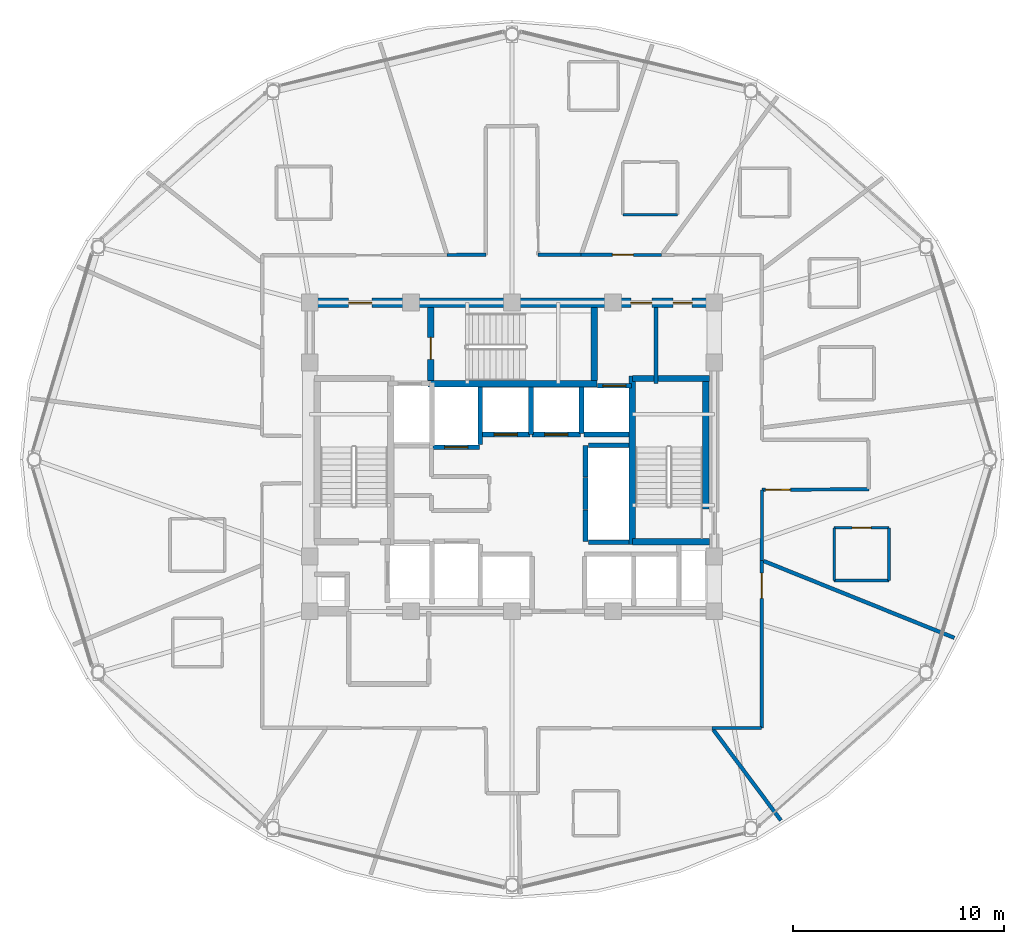
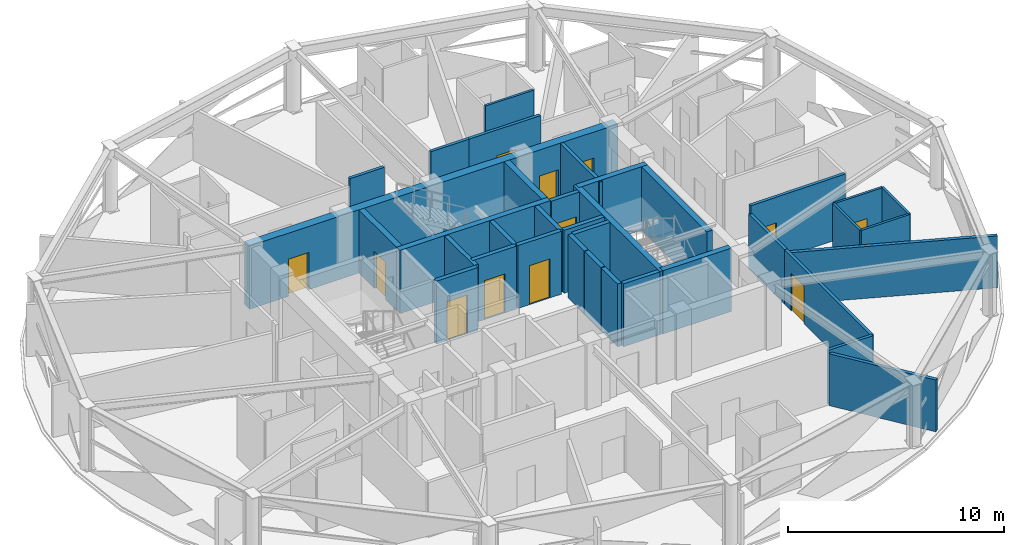
# One storey, part 24 of 30: 36 walls, 12 doors, 12 openings.
"""IFC4 building model written with IfcOpenShell, lengths in metres."""

from ifc_helpers import new_model, si_unit, direction, frame, frame_2d, origin, place, context, subcontext, project, spatial, rectangle, extrude, material, layer, layer_set, type_object, element, fill, save


model = new_model("IFC4")

# Units and contexts
model_context = context("Model", 3, precision=1e-05, world=origin(), true_north=direction((0.0, 1.0)))
body_context = subcontext(model_context, "Body", "Model", "MODEL_VIEW")
ifc_project = project(units=[si_unit("LENGTHUNIT", "METRE"), si_unit("AREAUNIT", "SQUARE_METRE"), si_unit("VOLUMEUNIT", "CUBIC_METRE"), si_unit("PLANEANGLEUNIT", "RADIAN"), si_unit("MASSUNIT", "GRAM", prefix="KILO")], contexts=[model_context])

# Site, building, storey
site_placement = place(None, origin())
site = spatial("IfcSite", under=ifc_project, at=site_placement, CompositionType="ELEMENT")
building_placement = place(site_placement, origin())
building = spatial("IfcBuilding", under=site, at=building_placement, Name="Vantalir Tower", CompositionType="ELEMENT")
storey_placement = place(building_placement, frame((0.0, 0.0, 186.14990234375)))
storey = spatial("IfcBuildingStorey", under=building, at=storey_placement, Name="L46", CompositionType="ELEMENT", Elevation=186.14990234375)

# Walls
ifc_material_1 = material(Name="Moisture-resistant en-suite partition", Category="gypsum")
ifc_layer_1 = layer(ifc_material_1, 0.125)
ifc_layer_set_1 = layer_set([ifc_layer_1], Name="Moisture-resistant en-suite partition")
wall_type_1 = type_object("IfcWallType", Name="WL-BATH-125", PredefinedType="PARTITIONING", material=ifc_layer_set_1)
wall_1_placement = place(storey_placement, frame((36.757080078125, 36.625, 0.0), z_axis=(0.0, 0.0, 1.0), x_axis=(1.0, 0.0, 0.0)))
element("IfcWall", 1, at=wall_1_placement, inside=storey, type_object=wall_type_1, Name="L46 En-suite 04 South Wall", PredefinedType="PARTITIONING", context=body_context, shape_type="SweptSolid", body=[
    extrude(rectangle(XDim=2.599853515625, YDim=0.125, at=frame_2d((1.2998046875, 0.0))), origin(), (0.0, 0.0, 1.0), 3.550048828125),
])
wall_2_placement = place(storey_placement, frame((46.7939453125, 19.260986328125, 0.0), z_axis=(0.0, 0.0, 1.0), x_axis=(1.0, 0.0, 0.0)))
element("IfcWall", 2, at=wall_2_placement, inside=storey, type_object=wall_type_1, Name="L46 En-suite 15 South Wall", PredefinedType="PARTITIONING", context=body_context, shape_type="SweptSolid", body=[
    extrude(rectangle(XDim=2.60009765625, YDim=0.125, at=frame_2d((1.300048828125, 0.0))), origin(), (0.0, 0.0, 1.0), 3.550048828125),
])

# Wall, opening, door
wall_3_placement = place(storey_placement, frame((46.7939453125, 21.760986328125, 0.0), z_axis=(0.0, 0.0, 1.0), x_axis=(1.0, 0.0, 0.0)))
wall_3 = element("IfcWall", 3, at=wall_3_placement, inside=storey, type_object=wall_type_1, Name="L46 En-suite 15 North Wall", PredefinedType="PARTITIONING", context=body_context, shape_type="SweptSolid", body=[
    extrude(rectangle(XDim=2.60009765625, YDim=0.125, at=frame_2d((1.300048828125, 0.0))), origin(), (0.0, 0.0, 1.0), 3.550048828125),
])
opening_1_placement = place(wall_3_placement, frame((0.85009765625, 0.0, 0.0)))
opening_1 = element("IfcOpeningElement", 4, at=opening_1_placement, cuts=wall_3, Name="Opening D-WC", PredefinedType="OPENING", context=body_context, shape_type="SweptSolid", body=[
    extrude(rectangle(XDim=0.89990234375, YDim=2.10009765625, at=frame_2d((0.449951171875, 1.050048828125))), frame((0.0, 0.072509765625, 0.0), z_axis=(0.0, -1.0, 0.0), x_axis=(1.0, 0.0, 0.0)), (0.0, 0.0, 1.0), 0.14501953125),
])
ifc_material_2 = material(Name="Moisture-resistant hardwood door", Category="wood")
door_type_1 = type_object("IfcDoorType", Name="DR-ENSUITE-900", OperationType="NOTDEFINED", PredefinedType="DOOR", material=ifc_material_2)
door_1_placement = place(opening_1_placement, frame((0.89990234375, 0.0, 0.0), z_axis=(0.0, 0.0, 1.0), x_axis=(-1.0, 0.0, 0.0)))
door_1 = element("IfcDoor", 5, at=door_1_placement, inside=storey, type_object=door_type_1, Name="L46 En-suite 15 Door", OperationType="SINGLE_SWING_RIGHT", OverallHeight=2.10009765625, OverallWidth=0.89990234375, PredefinedType="DOOR", context=body_context, shape_type="SweptSolid", body=[
    extrude(rectangle(XDim=0.89990234375, YDim=2.10009765625, at=frame_2d((0.449951171875, 1.050048828125))), frame((0.0, 0.02490234375, 0.0), z_axis=(0.0, -1.0, 0.0), x_axis=(1.0, 0.0, 0.0)), (0.0, 0.0, 1.0), 0.050048828125),
])
fill(opening_1, door_1)

# Walls
for number, where, z_axis, x_axis, name in (
    (6, (46.7939453125, 19.260986328125, 0.0), (0.0, 0.0, 1.0), (0.0, 1.0, 0.0), "L46 En-suite 15 West Wall"),
    (7, (49.39404296875, 19.260986328125, 0.0), (0.0, 0.0, 1.0), (0.0, 1.0, 0.0), "L46 En-suite 15 East Wall"),
):
    element("IfcWall", number, at=place(storey_placement, frame(where, z_axis=z_axis, x_axis=x_axis)), inside=storey, type_object=wall_type_1, Name=name, PredefinedType="PARTITIONING", context=body_context, shape_type="SweptSolid", body=[
        extrude(rectangle(XDim=2.5, YDim=0.125, at=frame_2d((1.25, 0.0))), origin(), (0.0, 0.0, 1.0), 3.550048828125),
    ])

# Wall, openings, doors
ifc_material_3 = material(Name="Concrete C50/60", Category="concrete")
ifc_layer_2 = layer(ifc_material_3, 0.449951171875)
ifc_layer_set_2 = layer_set([ifc_layer_2], Name="Concrete C50/60")
wall_type_2 = type_object("IfcWallType", Name="WL-CORE-450", PredefinedType="SHEAR", material=ifc_layer_set_2)
wall_4_placement = place(storey_placement, frame((21.675048828125, 32.449951171875, 0.0), z_axis=(0.0, 0.0, 1.0), x_axis=(1.0, 0.0, 0.0)))
wall_4 = element("IfcWall", 8, at=wall_4_placement, inside=storey, type_object=wall_type_2, Name="L46 Core Shear Wall North", PredefinedType="SHEAR", context=body_context, shape_type="SweptSolid", body=[
    extrude(rectangle(XDim=19.64990234375, YDim=0.449951171875, at=frame_2d((9.824951171875, 0.0))), origin(), (0.0, 0.0, 1.0), 3.570068359375),
])
opening_2_placement = place(wall_4_placement, frame((2.074951171875, 0.0, 0.0)))
opening_2 = element("IfcOpeningElement", 9, at=opening_2_placement, cuts=wall_4, Name="Opening D-FFL", PredefinedType="OPENING", context=body_context, shape_type="SweptSolid", body=[
    extrude(rectangle(XDim=1.10009765625, YDim=2.10009765625, at=frame_2d((0.550048828125, 1.050048828125))), frame((0.0, 0.23486328125, 0.0), z_axis=(0.0, -1.0, 0.0), x_axis=(1.0, 0.0, 0.0)), (0.0, 0.0, 1.0), 0.469970703125),
])
opening_3_placement = place(wall_4_placement, frame((15.465087890625, 0.0, 0.0)))
opening_3 = element("IfcOpeningElement", 10, at=opening_3_placement, cuts=wall_4, Name="Opening D-GUEST", PredefinedType="OPENING", context=body_context, shape_type="SweptSolid", body=[
    extrude(rectangle(XDim=1.0, YDim=2.10009765625, at=frame_2d((0.5, 1.050048828125))), frame((0.0, 0.23486328125, 0.0), z_axis=(0.0, -1.0, 0.0), x_axis=(1.0, 0.0, 0.0)), (0.0, 0.0, 1.0), 0.469970703125),
])
opening_4_placement = place(wall_4_placement, frame((17.47509765625, 0.0, 0.0)))
opening_4 = element("IfcOpeningElement", 11, at=opening_4_placement, cuts=wall_4, Name="Opening D-CR", PredefinedType="OPENING", context=body_context, shape_type="SweptSolid", body=[
    extrude(rectangle(XDim=0.89990234375, YDim=2.10009765625, at=frame_2d((0.449951171875, 1.050048828125))), frame((0.0, 0.23486328125, 0.0), z_axis=(0.0, -1.0, 0.0), x_axis=(1.0, 0.0, 0.0)), (0.0, 0.0, 1.0), 0.469970703125),
])
ifc_material_4 = material(Name="Fire-rated steel core service door", Category="steel")
door_type_2 = type_object("IfcDoorType", Name="DR-CORE-SERV-900", OperationType="NOTDEFINED", PredefinedType="DOOR", material=ifc_material_4)
door_2_placement = place(opening_4_placement, frame((0.89990234375, 0.0, 0.0), z_axis=(0.0, 0.0, 1.0), x_axis=(-1.0, 0.0, 0.0)))
door_2 = element("IfcDoor", 12, at=door_2_placement, inside=storey, type_object=door_type_2, Name="L46 Housekeeping and Linen Room Door", OperationType="SINGLE_SWING_RIGHT", OverallHeight=2.10009765625, OverallWidth=0.89990234375, PredefinedType="DOOR", context=body_context, shape_type="SweptSolid", body=[
    extrude(rectangle(XDim=0.89990234375, YDim=2.10009765625, at=frame_2d((0.449951171875, 1.050048828125))), frame((0.0, 0.02490234375, 0.0), z_axis=(0.0, -1.0, 0.0), x_axis=(1.0, 0.0, 0.0)), (0.0, 0.0, 1.0), 0.050048828125),
])
fill(opening_4, door_2)
ifc_material_5 = material(Name="Fire-rated acoustic steel door", Category="steel")
door_type_3 = type_object("IfcDoorType", Name="DR-FIRE-LOBBY-1100", OperationType="NOTDEFINED", PredefinedType="DOOR", material=ifc_material_5)
door_3_placement = place(opening_2_placement, frame((1.10009765625, 0.0, 0.0), z_axis=(0.0, 0.0, 1.0), x_axis=(-1.0, 0.0, 0.0)))
door_3 = element("IfcDoor", 13, at=door_3_placement, inside=storey, type_object=door_type_3, Name="L46 Firefighting Lobby East Access Door", OperationType="SINGLE_SWING_RIGHT", OverallHeight=2.10009765625, OverallWidth=1.10009765625, PredefinedType="DOOR", context=body_context, shape_type="SweptSolid", body=[
    extrude(rectangle(XDim=1.10009765625, YDim=2.10009765625, at=frame_2d((0.550048828125, 1.050048828125))), frame((0.0, 0.02490234375, 0.0), z_axis=(0.0, -1.0, 0.0), x_axis=(1.0, 0.0, 0.0)), (0.0, 0.0, 1.0), 0.050048828125),
])
fill(opening_2, door_3)
ifc_material_6 = material(Name="Solid-core teak veneer acoustic fire door", Category="wood")
door_type_4 = type_object("IfcDoorType", Name="DR-GUEST-ENTRY-1000", OperationType="NOTDEFINED", PredefinedType="DOOR", material=ifc_material_6)
door_4_placement = place(opening_3_placement, frame((1.0, 0.0, 0.0), z_axis=(0.0, 0.0, 1.0), x_axis=(-1.0, 0.0, 0.0)))
door_4 = element("IfcDoor", 14, at=door_4_placement, inside=storey, type_object=door_type_4, Name="L46 High-Rise Lift Lobby Door", OperationType="SINGLE_SWING_LEFT", OverallHeight=2.10009765625, OverallWidth=1.0, PredefinedType="DOOR", context=body_context, shape_type="SweptSolid", body=[
    extrude(rectangle(XDim=1.0, YDim=2.10009765625, at=frame_2d((0.5, 1.050048828125))), frame((0.0, 0.02490234375, 0.0), z_axis=(0.0, -1.0, 0.0), x_axis=(1.0, 0.0, 0.0)), (0.0, 0.0, 1.0), 0.050048828125),
])
fill(opening_3, door_4)

# Walls
ifc_material_7 = material(Name="Fire-rated hotel corridor acoustic partition", Category="gypsum")
ifc_layer_3 = layer(ifc_material_7, 0.159912109375)
ifc_layer_set_3 = layer_set([ifc_layer_3], Name="Fire-rated hotel corridor acoustic partition")
wall_type_3 = type_object("IfcWallType", Name="WL-CORR-160", PredefinedType="PARTITIONING", material=ifc_layer_set_3)
wall_5_placement = place(storey_placement, frame((28.423095703125, 34.7119140625, 0.0), z_axis=(0.0, 0.0, 1.0), x_axis=(0.999998507349, 0.00172780178, 0.0)))
element("IfcWall", 15, at=wall_5_placement, inside=storey, type_object=wall_type_3, Name="L46 Corridor Partition 07", PredefinedType="PARTITIONING", context=body_context, shape_type="SweptSolid", body=[
    extrude(rectangle(XDim=1.8369140625, YDim=0.159912109375, at=frame_2d((0.91845703125, 0.0))), origin(), (0.0, 0.0, 1.0), 3.550048828125),
])
wall_6_placement = place(storey_placement, frame((32.739990234375, 34.715087890625, 0.0), z_axis=(0.0, 0.0, 1.0), x_axis=(0.999999885534, -0.000478468845, 0.0)))
element("IfcWall", 16, at=wall_6_placement, inside=storey, type_object=wall_type_3, Name="L46 Corridor Partition 11", PredefinedType="PARTITIONING", context=body_context, shape_type="SweptSolid", body=[
    extrude(rectangle(XDim=2.041015625, YDim=0.159912109375, at=frame_2d((1.0205078125, 0.0))), origin(), (0.0, 0.0, 1.0), 3.550048828125),
])

# Wall, opening, door
wall_7_placement = place(storey_placement, frame((34.781005859375, 34.714111328125, 0.0), z_axis=(0.0, 0.0, 1.0), x_axis=(0.999999654861, -0.000830829904, 0.0)))
wall_7 = element("IfcWall", 17, at=wall_7_placement, inside=storey, type_object=wall_type_3, Name="L46 Corridor Partition 12", PredefinedType="PARTITIONING", context=body_context, shape_type="SweptSolid", body=[
    extrude(rectangle(XDim=3.820068359375, YDim=0.159912109375, at=frame_2d((1.91015625, 0.0))), origin(), (0.0, 0.0, 1.0), 3.550048828125),
])
opening_5_placement = place(wall_7_placement, frame((1.48388671875, 0.0, 0.0)))
opening_5 = element("IfcOpeningElement", 18, at=opening_5_placement, cuts=wall_7, Name="Opening D-GUEST", PredefinedType="OPENING", context=body_context, shape_type="SweptSolid", body=[
    extrude(rectangle(XDim=1.0, YDim=2.10009765625, at=frame_2d((0.5, 1.050048828125))), frame((0.0, 0.08984375, 0.0), z_axis=(0.0, -1.0, 0.0), x_axis=(1.0, 0.0, 0.0)), (0.0, 0.0, 1.0), 0.179931640625),
])
door_5_placement = place(opening_5_placement, origin())
door_5 = element("IfcDoor", 19, at=door_5_placement, inside=storey, type_object=door_type_4, Name="L46 Twin Queen Hotel Room 04 Door", OperationType="SINGLE_SWING_LEFT", OverallHeight=2.10009765625, OverallWidth=1.0, PredefinedType="DOOR", context=body_context, shape_type="SweptSolid", body=[
    extrude(rectangle(XDim=1.0, YDim=2.10009765625, at=frame_2d((0.5, 1.050048828125))), frame((0.0, 0.02490234375, 0.0), z_axis=(0.0, -1.0, 0.0), x_axis=(1.0, 0.0, 0.0)), (0.0, 0.0, 1.0), 0.050048828125),
])
fill(opening_5, door_5)

wall_8_placement = place(storey_placement, frame((48.43994140625, 23.595947265625, 0.0), z_axis=(0.0, 0.0, 1.0), x_axis=(-0.999974996273, -0.007071550702, 0.0)))
wall_8 = element("IfcWall", 20, at=wall_8_placement, inside=storey, type_object=wall_type_3, Name="L46 Corridor Partition 20", PredefinedType="PARTITIONING", context=body_context, shape_type="SweptSolid", body=[
    extrude(rectangle(XDim=5.0751953125, YDim=0.159912109375, at=frame_2d((2.53759765625, 0.0))), origin(), (0.0, 0.0, 1.0), 3.550048828125),
])
opening_6_placement = place(wall_8_placement, frame((3.715087890625, 0.0, 0.0)))
opening_6 = element("IfcOpeningElement", 21, at=opening_6_placement, cuts=wall_8, Name="Opening D-STE", PredefinedType="OPENING", context=body_context, shape_type="SweptSolid", body=[
    extrude(rectangle(XDim=1.199951171875, YDim=2.10009765625, at=frame_2d((0.60009765625, 1.050048828125))), frame((0.0, 0.08984375, 0.0), z_axis=(0.0, -1.0, 0.0), x_axis=(1.0, 0.0, 0.0)), (0.0, 0.0, 1.0), 0.179931640625),
])
ifc_material_8 = material(Name="Solid-core teak veneer suite entrance door", Category="wood")
door_type_5 = type_object("IfcDoorType", Name="DR-SUITE-ENTRY-1200", OperationType="NOTDEFINED", PredefinedType="DOOR", material=ifc_material_8)
door_6_placement = place(opening_6_placement, origin())
door_6 = element("IfcDoor", 22, at=door_6_placement, inside=storey, type_object=door_type_5, Name="L46 Corner Panorama Hotel Suite 15 Door", OperationType="SINGLE_SWING_RIGHT", OverallHeight=2.10009765625, OverallWidth=1.199951171875, PredefinedType="DOOR", context=body_context, shape_type="SweptSolid", body=[
    extrude(rectangle(XDim=1.199951171875, YDim=2.10009765625, at=frame_2d((0.60009765625, 1.050048828125))), frame((0.0, 0.02490234375, 0.0), z_axis=(0.0, -1.0, 0.0), x_axis=(1.0, 0.0, 0.0)), (0.0, 0.0, 1.0), 0.050048828125),
])
fill(opening_6, door_6)

# Wall
wall_9_placement = place(storey_placement, frame((43.364990234375, 23.56005859375, 0.0), z_axis=(0.0, 0.0, 1.0), x_axis=(-0.001169504353, -0.99999931613, 0.0)))
element("IfcWall", 23, at=wall_9_placement, inside=storey, type_object=wall_type_3, Name="L46 Corridor Partition 21", PredefinedType="PARTITIONING", context=body_context, shape_type="SweptSolid", body=[
    extrude(rectangle(XDim=3.340087890625, YDim=0.159912109375, at=frame_2d((1.669921875, 0.0))), origin(), (0.0, 0.0, 1.0), 3.0810546875),
])

# Wall, opening, door
wall_10_placement = place(storey_placement, frame((43.361083984375, 20.219970703125, 0.0), z_axis=(0.0, 0.0, 1.0), x_axis=(-0.001380028127, -0.999999047761, 0.0)))
wall_10 = element("IfcWall", 24, at=wall_10_placement, inside=storey, type_object=wall_type_3, Name="L46 Corridor Partition 22", PredefinedType="PARTITIONING", context=body_context, shape_type="SweptSolid", body=[
    extrude(rectangle(XDim=7.9609375, YDim=0.159912109375, at=frame_2d((3.98046875, 0.0))), origin(), (0.0, 0.0, 1.0), 3.0810546875),
])
opening_7_placement = place(wall_10_placement, frame((0.60888671875, 0.0, 0.0)))
opening_7 = element("IfcOpeningElement", 25, at=opening_7_placement, cuts=wall_10, Name="Opening D-STE", PredefinedType="OPENING", context=body_context, shape_type="SweptSolid", body=[
    extrude(rectangle(XDim=1.199951171875, YDim=2.10009765625, at=frame_2d((0.60009765625, 1.050048828125))), frame((0.0, 0.08984375, 0.0), z_axis=(0.0, -1.0, 0.0), x_axis=(1.0, 0.0, 0.0)), (0.0, 0.0, 1.0), 0.179931640625),
])
door_7_placement = place(opening_7_placement, origin())
door_7 = element("IfcDoor", 26, at=door_7_placement, inside=storey, type_object=door_type_5, Name="L46 Club Reading Lounge 14 Door", OperationType="SINGLE_SWING_LEFT", OverallHeight=2.10009765625, OverallWidth=1.199951171875, PredefinedType="DOOR", context=body_context, shape_type="SweptSolid", body=[
    extrude(rectangle(XDim=1.199951171875, YDim=2.10009765625, at=frame_2d((0.60009765625, 1.050048828125))), frame((0.0, 0.02490234375, 0.0), z_axis=(0.0, -1.0, 0.0), x_axis=(1.0, 0.0, 0.0)), (0.0, 0.0, 1.0), 0.050048828125),
])
fill(opening_7, door_7)

# Walls
wall_11_placement = place(storey_placement, frame((43.35009765625, 12.259033203125, 0.0), z_axis=(0.0, 0.0, 1.0), x_axis=(-0.999999655796, -0.000829703095, 0.0)))
element("IfcWall", 27, at=wall_11_placement, inside=storey, type_object=wall_type_3, Name="L46 Corridor Partition 23", PredefinedType="PARTITIONING", context=body_context, shape_type="SweptSolid", body=[
    extrude(rectangle(XDim=2.35400390625, YDim=0.159912109375, at=frame_2d((1.177001953125, 0.0))), origin(), (0.0, 0.0, 1.0), 3.0810546875),
])
ifc_material_9 = material(Name="Concrete blockwork with fireboard lining", Category="masonry")
ifc_layer_4 = layer(ifc_material_9, 0.219970703125)
ifc_layer_set_4 = layer_set([ifc_layer_4], Name="Concrete blockwork with fireboard lining")
wall_type_4 = type_object("IfcWallType", Name="WL-FFL-220", PredefinedType="PARTITIONING", material=ifc_layer_set_4)
wall_12_placement = place(storey_placement, frame((30.0, 25.7099609375, 0.0), z_axis=(0.0, 0.0, 1.0), x_axis=(0.0, 1.0, 0.0)))
element("IfcWall", 28, at=wall_12_placement, inside=storey, type_object=wall_type_4, Name="L46 Service Lift SV2 East Shaft Wall", PredefinedType="PARTITIONING", context=body_context, shape_type="SweptSolid", body=[
    extrude(rectangle(XDim=2.72998046875, YDim=0.219970703125, at=frame_2d((1.364990234375, 0.0))), origin(), (0.0, 0.0, 1.0), 3.545166015625),
])
wall_13_placement = place(storey_placement, frame((32.39990234375, 26.199951171875, 0.0), z_axis=(0.0, 0.0, 1.0), x_axis=(0.0, 1.0, 0.0)))
element("IfcWall", 29, at=wall_13_placement, inside=storey, type_object=wall_type_4, Name="L46 High-Rise Lift PL-H1/H2 Shaft Divider", PredefinedType="PARTITIONING", context=body_context, shape_type="SweptSolid", body=[
    extrude(rectangle(XDim=2.239990234375, YDim=0.219970703125, at=frame_2d((1.1201171875, 0.0))), origin(), (0.0, 0.0, 1.0), 3.545166015625),
])
wall_14_placement = place(storey_placement, frame((34.800048828125, 26.22998046875, 0.0), z_axis=(0.0, 0.0, 1.0), x_axis=(0.0, 1.0, 0.0)))
element("IfcWall", 30, at=wall_14_placement, inside=storey, type_object=wall_type_4, Name="L46 High-Rise Lift PL-H2/H3 Shaft Divider", PredefinedType="PARTITIONING", context=body_context, shape_type="SweptSolid", body=[
    extrude(rectangle(XDim=2.2099609375, YDim=0.219970703125, at=frame_2d((1.10498046875, 0.0))), origin(), (0.0, 0.0, 1.0), 3.545166015625),
])
wall_15_placement = place(storey_placement, frame((34.909912109375, 26.18994140625, 0.0), z_axis=(0.0, 0.0, 1.0), x_axis=(1.0, 0.0, 0.0)))
element("IfcWall", 31, at=wall_15_placement, inside=storey, type_object=wall_type_4, Name="L46 High-Rise Lift PL-H3 Rear Shaft Wall", PredefinedType="PARTITIONING", context=body_context, shape_type="SweptSolid", body=[
    extrude(rectangle(XDim=2.14013671875, YDim=0.219970703125, at=frame_2d((1.070068359375, 0.0))), origin(), (0.0, 0.0, 1.0), 3.545166015625),
])

# Wall, opening, door
wall_16_placement = place(storey_placement, frame((27.739990234375, 25.590087890625, 0.0), z_axis=(0.0, 0.0, 1.0), x_axis=(1.0, 0.0, 0.0)))
wall_16 = element("IfcWall", 32, at=wall_16_placement, inside=storey, type_object=wall_type_4, Name="L46 Lift SV2 Shaft Front Wall", PredefinedType="PARTITIONING", context=body_context, shape_type="SweptSolid", body=[
    extrude(rectangle(XDim=2.219970703125, YDim=0.219970703125, at=frame_2d((1.10986328125, 0.0))), origin(), (0.0, 0.0, 1.0), 3.550048828125),
])
opening_8_placement = place(wall_16_placement, frame((0.56005859375, 0.0, 0.0)))
opening_8 = element("IfcOpeningElement", 33, at=opening_8_placement, cuts=wall_16, Name="Opening LD-SV2", PredefinedType="OPENING", context=body_context, shape_type="SweptSolid", body=[
    extrude(rectangle(XDim=1.10009765625, YDim=2.199951171875, at=frame_2d((0.550048828125, 1.10009765625))), frame((0.0, 0.119873046875, 0.0), z_axis=(0.0, -1.0, 0.0), x_axis=(1.0, 0.0, 0.0)), (0.0, 0.0, 1.0), 0.239990234375),
])
ifc_material_10 = material(Name="Brushed stainless-steel sliding lift landing door", Category="steel")
door_type_6 = type_object("IfcDoorType", Name="DR-LIFT-LANDING-1100", OperationType="DOUBLE_DOOR_SLIDING", PredefinedType="DOOR", material=ifc_material_10)
door_8_placement = place(opening_8_placement, frame((1.10009765625, 0.0, 0.0), z_axis=(0.0, 0.0, 1.0), x_axis=(-1.0, 0.0, 0.0)))
door_8 = element("IfcDoor", 34, at=door_8_placement, inside=storey, type_object=door_type_6, Name="L46 Lift Landing Door SV2", OperationType="DOUBLE_DOOR_SLIDING", OverallHeight=2.199951171875, OverallWidth=1.10009765625, PredefinedType="DOOR", context=body_context, shape_type="SweptSolid", body=[
    extrude(rectangle(XDim=1.10009765625, YDim=2.199951171875, at=frame_2d((0.550048828125, 1.10009765625))), frame((0.0, 0.02490234375, 0.0), z_axis=(0.0, -1.0, 0.0), x_axis=(1.0, 0.0, 0.0)), (0.0, 0.0, 1.0), 0.050048828125),
])
fill(opening_8, door_8)

wall_17_placement = place(storey_placement, frame((30.0400390625, 26.18994140625, 0.0), z_axis=(0.0, 0.0, 1.0), x_axis=(1.0, 0.0, 0.0)))
wall_17 = element("IfcWall", 35, at=wall_17_placement, inside=storey, type_object=wall_type_4, Name="L46 Lift PL-H1 Shaft Front Wall", PredefinedType="PARTITIONING", context=body_context, shape_type="SweptSolid", body=[
    extrude(rectangle(XDim=2.320068359375, YDim=0.219970703125, at=frame_2d((1.16015625, 0.0))), origin(), (0.0, 0.0, 1.0), 3.550048828125),
])
opening_9_placement = place(wall_17_placement, frame((0.610107421875, 0.0, 0.0)))
opening_9 = element("IfcOpeningElement", 36, at=opening_9_placement, cuts=wall_17, Name="Opening LD-PL-H1", PredefinedType="OPENING", context=body_context, shape_type="SweptSolid", body=[
    extrude(rectangle(XDim=1.10009765625, YDim=2.199951171875, at=frame_2d((0.550048828125, 1.10009765625))), frame((0.0, 0.119873046875, 0.0), z_axis=(0.0, -1.0, 0.0), x_axis=(1.0, 0.0, 0.0)), (0.0, 0.0, 1.0), 0.239990234375),
])
door_9_placement = place(opening_9_placement, frame((1.10009765625, 0.0, 0.0), z_axis=(0.0, 0.0, 1.0), x_axis=(-1.0, 0.0, 0.0)))
door_9 = element("IfcDoor", 37, at=door_9_placement, inside=storey, type_object=door_type_6, Name="L46 Lift Landing Door PL-H1", OperationType="DOUBLE_DOOR_SLIDING", OverallHeight=2.199951171875, OverallWidth=1.10009765625, PredefinedType="DOOR", context=body_context, shape_type="SweptSolid", body=[
    extrude(rectangle(XDim=1.10009765625, YDim=2.199951171875, at=frame_2d((0.550048828125, 1.10009765625))), frame((0.0, 0.02490234375, 0.0), z_axis=(0.0, -1.0, 0.0), x_axis=(1.0, 0.0, 0.0)), (0.0, 0.0, 1.0), 0.050048828125),
])
fill(opening_9, door_9)

wall_18_placement = place(storey_placement, frame((32.43994140625, 26.18994140625, 0.0), z_axis=(0.0, 0.0, 1.0), x_axis=(1.0, 0.0, 0.0)))
wall_18 = element("IfcWall", 38, at=wall_18_placement, inside=storey, type_object=wall_type_4, Name="L46 Lift PL-H2 Shaft Front Wall", PredefinedType="PARTITIONING", context=body_context, shape_type="SweptSolid", body=[
    extrude(rectangle(XDim=2.320068359375, YDim=0.219970703125, at=frame_2d((1.16015625, 0.0))), origin(), (0.0, 0.0, 1.0), 3.550048828125),
])
opening_10_placement = place(wall_18_placement, frame((0.610107421875, 0.0, 0.0)))
opening_10 = element("IfcOpeningElement", 39, at=opening_10_placement, cuts=wall_18, Name="Opening LD-PL-H2", PredefinedType="OPENING", context=body_context, shape_type="SweptSolid", body=[
    extrude(rectangle(XDim=1.10009765625, YDim=2.199951171875, at=frame_2d((0.550048828125, 1.10009765625))), frame((0.0, 0.119873046875, 0.0), z_axis=(0.0, -1.0, 0.0), x_axis=(1.0, 0.0, 0.0)), (0.0, 0.0, 1.0), 0.239990234375),
])
door_10_placement = place(opening_10_placement, frame((1.10009765625, 0.0, 0.0), z_axis=(0.0, 0.0, 1.0), x_axis=(-1.0, 0.0, 0.0)))
door_10 = element("IfcDoor", 40, at=door_10_placement, inside=storey, type_object=door_type_6, Name="L46 Lift Landing Door PL-H2", OperationType="DOUBLE_DOOR_SLIDING", OverallHeight=2.199951171875, OverallWidth=1.10009765625, PredefinedType="DOOR", context=body_context, shape_type="SweptSolid", body=[
    extrude(rectangle(XDim=1.10009765625, YDim=2.199951171875, at=frame_2d((0.550048828125, 1.10009765625))), frame((0.0, 0.02490234375, 0.0), z_axis=(0.0, -1.0, 0.0), x_axis=(1.0, 0.0, 0.0)), (0.0, 0.0, 1.0), 0.050048828125),
])
fill(opening_10, door_10)

wall_19_placement = place(storey_placement, frame((35.56005859375, 28.510009765625, 0.0), z_axis=(0.0, 0.0, 1.0), x_axis=(1.0, 0.0, 0.0)))
wall_19 = element("IfcWall", 41, at=wall_19_placement, inside=storey, type_object=wall_type_4, Name="L46 Lift PL-H3 Shaft Front Wall", PredefinedType="PARTITIONING", context=body_context, shape_type="SweptSolid", body=[
    extrude(rectangle(XDim=1.599853515625, YDim=0.219970703125, at=frame_2d((0.7998046875, 0.0))), origin(), (0.0, 0.0, 1.0), 3.550048828125),
])
opening_11_placement = place(wall_19_placement, frame((0.25, 0.0, 0.0)))
opening_11 = element("IfcOpeningElement", 42, at=opening_11_placement, cuts=wall_19, Name="Opening LD-PL-H3", PredefinedType="OPENING", context=body_context, shape_type="SweptSolid", body=[
    extrude(rectangle(XDim=1.10009765625, YDim=2.199951171875, at=frame_2d((0.550048828125, 1.10009765625))), frame((0.0, 0.119873046875, 0.0), z_axis=(0.0, -1.0, 0.0), x_axis=(1.0, 0.0, 0.0)), (0.0, 0.0, 1.0), 0.239990234375),
])
door_11_placement = place(opening_11_placement, origin())
door_11 = element("IfcDoor", 43, at=door_11_placement, inside=storey, type_object=door_type_6, Name="L46 Lift Landing Door PL-H3", OperationType="DOUBLE_DOOR_SLIDING", OverallHeight=2.199951171875, OverallWidth=1.10009765625, PredefinedType="DOOR", context=body_context, shape_type="SweptSolid", body=[
    extrude(rectangle(XDim=1.10009765625, YDim=2.199951171875, at=frame_2d((0.550048828125, 1.10009765625))), frame((0.0, 0.02490234375, 0.0), z_axis=(0.0, -1.0, 0.0), x_axis=(1.0, 0.0, 0.0)), (0.0, 0.0, 1.0), 0.050048828125),
])
fill(opening_11, door_11)

# Walls
for number, where, z_axis, x_axis, name in (
    (44, (34.989990234375, 21.10009765625, 0.0), (0.0, 0.0, 1.0), (0.0, 1.0, 0.0), "L46 Lift PL-M1 Shaft Front Wall"),
    (45, (34.989990234375, 22.639892578125, 0.0), (0.0, 0.0, 1.0), (0.0, 1.0, 0.0), "L46 Lift PL-M2 Shaft Front Wall"),
    (46, (34.989990234375, 24.179931640625, 0.0), (0.0, 0.0, 1.0), (0.0, 1.0, 0.0), "L46 Lift PL-M3 Shaft Front Wall"),
):
    element("IfcWall", number, at=place(storey_placement, frame(where, z_axis=z_axis, x_axis=x_axis)), inside=storey, type_object=wall_type_4, Name=name, PredefinedType="PARTITIONING", context=body_context, shape_type="SweptSolid", body=[
        extrude(rectangle(XDim=1.5, YDim=0.219970703125, at=frame_2d((0.75, 0.0))), origin(), (0.0, 0.0, 1.0), 3.550048828125),
    ])
for number, where, z_axis, x_axis, name in (
    (47, (35.1201171875, 21.080078125, 0.0), (0.0, 0.0, 1.0), (1.0, 0.0, 0.0), "L46 Mid-Rise Bank South Wall"),
    (48, (35.1201171875, 25.679931640625, 0.0), (0.0, 0.0, 1.0), (1.0, 0.0, 0.0), "L46 Mid-Rise Bank North Wall"),
):
    element("IfcWall", number, at=place(storey_placement, frame(where, z_axis=z_axis, x_axis=x_axis)), inside=storey, type_object=wall_type_4, Name=name, PredefinedType="PARTITIONING", context=body_context, shape_type="SweptSolid", body=[
        extrude(rectangle(XDim=1.93994140625, YDim=0.219970703125, at=frame_2d((0.969970703125, 0.0))), origin(), (0.0, 0.0, 1.0), 3.550048828125),
    ])
ifc_material_11 = material(Name="Twin-stud acoustic fire-rated gypsum partition", Category="gypsum")
ifc_layer_5 = layer(ifc_material_11, 0.179931640625)
ifc_layer_set_5 = layer_set([ifc_layer_5], Name="Twin-stud acoustic fire-rated gypsum partition")
wall_type_5 = type_object("IfcWallType", Name="WL-GUEST-180", PredefinedType="PARTITIONING", material=ifc_layer_set_5)
wall_20_placement = place(storey_placement, frame((38.340087890625, 28.6201171875, 0.0), z_axis=(0.0, 0.0, 1.0), x_axis=(0.0, 1.0, 0.0)))
element("IfcWall", 49, at=wall_20_placement, inside=storey, type_object=wall_type_5, Name="L46 High-Rise Lift Lobby East Wall", PredefinedType="PARTITIONING", context=body_context, shape_type="SweptSolid", body=[
    extrude(rectangle(XDim=3.60498046875, YDim=0.179931640625, at=frame_2d((1.802490234375, 0.0))), origin(), (0.0, 0.0, 1.0), 3.550048828125),
])
wall_21_placement = place(storey_placement, frame((41.056884765625, 12.175048828125, 0.0), z_axis=(0.0, 0.0, 1.0), x_axis=(0.597585803219, -0.801804968674, 0.0)))
element("IfcWall", 50, at=wall_21_placement, inside=storey, type_object=wall_type_5, Name="L46 Radial Suite Partition 14", PredefinedType="PARTITIONING", context=body_context, shape_type="SweptSolid", body=[
    extrude(rectangle(XDim=5.36181640625, YDim=0.179931640625, at=frame_2d((2.680908203125, 0.0))), origin(), (0.0, 0.0, 1.0), 2.925048828125),
])
wall_22_placement = place(storey_placement, frame((43.43994140625, 20.18798828125, 0.0), z_axis=(0.0, 0.0, 1.0), x_axis=(0.927518376856, -0.373777554963, 0.0)))
element("IfcWall", 51, at=wall_22_placement, inside=storey, type_object=wall_type_5, Name="L46 Radial Suite Partition 15", PredefinedType="PARTITIONING", context=body_context, shape_type="SweptSolid", body=[
    extrude(rectangle(XDim=9.764892578125, YDim=0.179931640625, at=frame_2d((4.88232421875, 0.0))), origin(), (0.0, 0.0, 1.0), 2.925048828125),
])
ifc_layer_6 = layer(ifc_material_3, 0.300048828125)
ifc_layer_set_6 = layer_set([ifc_layer_6], Name="Concrete C50/60")
wall_type_6 = type_object("IfcWallType", Name="WL-STAIR-300", PredefinedType="SHEAR", material=ifc_layer_set_6)
for number, where, z_axis, x_axis, name in (
    (52, (37.2099609375, 21.10009765625, 0.0), (0.0, 0.0, 1.0), (1.0, 0.0, 0.0), "L46 Stair ST2 South Wall"),
    (53, (37.2099609375, 28.85009765625, 0.0), (0.0, 0.0, 1.0), (1.0, 0.0, 0.0), "L46 Stair ST2 North Wall"),
):
    element("IfcWall", number, at=place(storey_placement, frame(where, z_axis=z_axis, x_axis=x_axis)), inside=storey, type_object=wall_type_6, Name=name, PredefinedType="SHEAR", context=body_context, shape_type="SweptSolid", body=[
        extrude(rectangle(XDim=3.6650390625, YDim=0.300048828125, at=frame_2d((1.83251953125, 0.0))), origin(), (0.0, 0.0, 1.0), 3.570068359375),
    ])
wall_23_placement = place(storey_placement, frame((37.2099609375, 20.97998046875, 0.0), z_axis=(0.0, 0.0, 1.0), x_axis=(0.0, 1.0, 0.0)))
element("IfcWall", 54, at=wall_23_placement, inside=storey, type_object=wall_type_6, Name="L46 Stair ST2 West Wall", PredefinedType="SHEAR", context=body_context, shape_type="SweptSolid", body=[
    extrude(rectangle(XDim=7.989990234375, YDim=0.300048828125, at=frame_2d((3.9951171875, 0.0))), origin(), (0.0, 0.0, 1.0), 3.570068359375),
])
wall_24_placement = place(storey_placement, frame((40.68994140625, 22.64990234375, 0.0), z_axis=(0.0, 0.0, 1.0), x_axis=(0.0, 1.0, 0.0)))
element("IfcWall", 55, at=wall_24_placement, inside=storey, type_object=wall_type_6, Name="L46 Stair ST2 East Liner Wall", PredefinedType="SHEAR", context=body_context, shape_type="SweptSolid", body=[
    extrude(rectangle(XDim=6.2001953125, YDim=0.300048828125, at=frame_2d((3.10009765625, 0.0))), origin(), (0.0, 0.0, 1.0), 3.570068359375),
])
wall_25_placement = place(storey_placement, frame((27.510009765625, 28.60009765625, 0.0), z_axis=(0.0, 0.0, 1.0), x_axis=(1.0, 0.0, 0.0)))
element("IfcWall", 56, at=wall_25_placement, inside=storey, type_object=wall_type_6, Name="L46 Stair ST3 South Wall", PredefinedType="SHEAR", context=body_context, shape_type="SweptSolid", body=[
    extrude(rectangle(XDim=8.030029296875, YDim=0.300048828125, at=frame_2d((4.01513671875, 0.0))), origin(), (0.0, 0.0, 1.0), 3.570068359375),
])

# Wall, opening, door
wall_26_placement = place(storey_placement, frame((27.64990234375, 28.75, 0.0), z_axis=(0.0, 0.0, 1.0), x_axis=(0.0, 1.0, 0.0)))
wall_26 = element("IfcWall", 57, at=wall_26_placement, inside=storey, type_object=wall_type_6, Name="L46 Stair ST3 West Wall", PredefinedType="SHEAR", context=body_context, shape_type="SweptSolid", body=[
    extrude(rectangle(XDim=3.47509765625, YDim=0.300048828125, at=frame_2d((1.737548828125, 0.0))), origin(), (0.0, 0.0, 1.0), 3.570068359375),
])
opening_12_placement = place(wall_26_placement, frame((1.0, 0.0, 0.0)))
opening_12 = element("IfcOpeningElement", 58, at=opening_12_placement, cuts=wall_26, Name="Opening D-ST", PredefinedType="OPENING", context=body_context, shape_type="SweptSolid", body=[
    extrude(rectangle(XDim=1.050048828125, YDim=2.10009765625, at=frame_2d((0.52490234375, 1.050048828125))), frame((0.0, 0.159912109375, 0.0), z_axis=(0.0, -1.0, 0.0), x_axis=(1.0, 0.0, 0.0)), (0.0, 0.0, 1.0), 0.320068359375),
])
ifc_material_12 = material(Name="Fire-rated steel door leaf", Category="steel")
door_type_7 = type_object("IfcDoorType", Name="DR-FIRE-STAIR-1050", OperationType="NOTDEFINED", PredefinedType="DOOR", material=ifc_material_12)
door_12_placement = place(opening_12_placement, frame((1.050048828125, 0.0, 0.0), z_axis=(0.0, 0.0, 1.0), x_axis=(-1.0, 0.0, 0.0)))
door_12 = element("IfcDoor", 59, at=door_12_placement, inside=storey, type_object=door_type_7, Name="L46 Exit Stair ST3 Fire Door", OperationType="SINGLE_SWING_LEFT", OverallHeight=2.10009765625, OverallWidth=1.050048828125, PredefinedType="DOOR", context=body_context, shape_type="SweptSolid", body=[
    extrude(rectangle(XDim=1.050048828125, YDim=2.10009765625, at=frame_2d((0.52490234375, 1.050048828125))), frame((0.0, 0.02490234375, 0.0), z_axis=(0.0, -1.0, 0.0), x_axis=(1.0, 0.0, 0.0)), (0.0, 0.0, 1.0), 0.050048828125),
])
fill(opening_12, door_12)

# Wall
wall_27_placement = place(storey_placement, frame((35.39990234375, 28.75, 0.0), z_axis=(0.0, 0.0, 1.0), x_axis=(0.0, 1.0, 0.0)))
element("IfcWall", 60, at=wall_27_placement, inside=storey, type_object=wall_type_6, Name="L46 Stair ST3 East Wall", PredefinedType="SHEAR", context=body_context, shape_type="SweptSolid", body=[
    extrude(rectangle(XDim=3.47509765625, YDim=0.300048828125, at=frame_2d((1.737548828125, 0.0))), origin(), (0.0, 0.0, 1.0), 3.570068359375),
])

save(model, "model.ifc")
